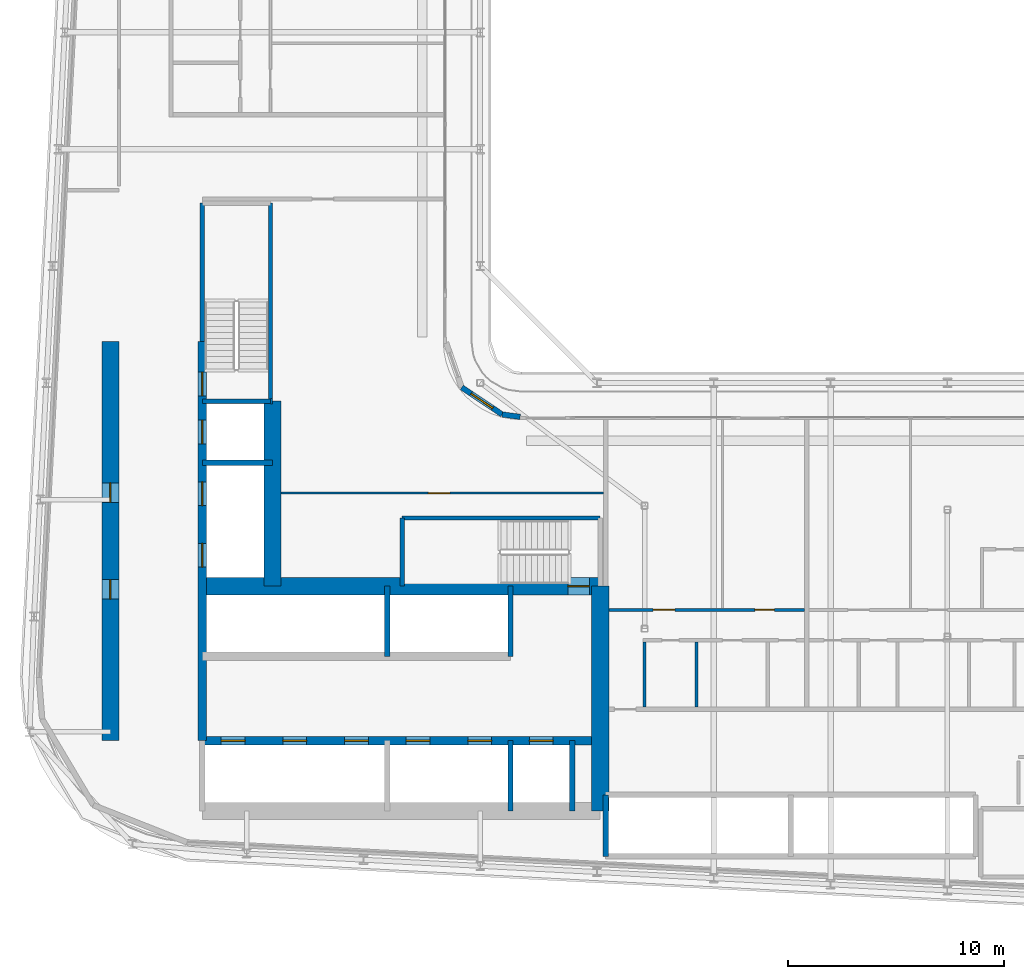
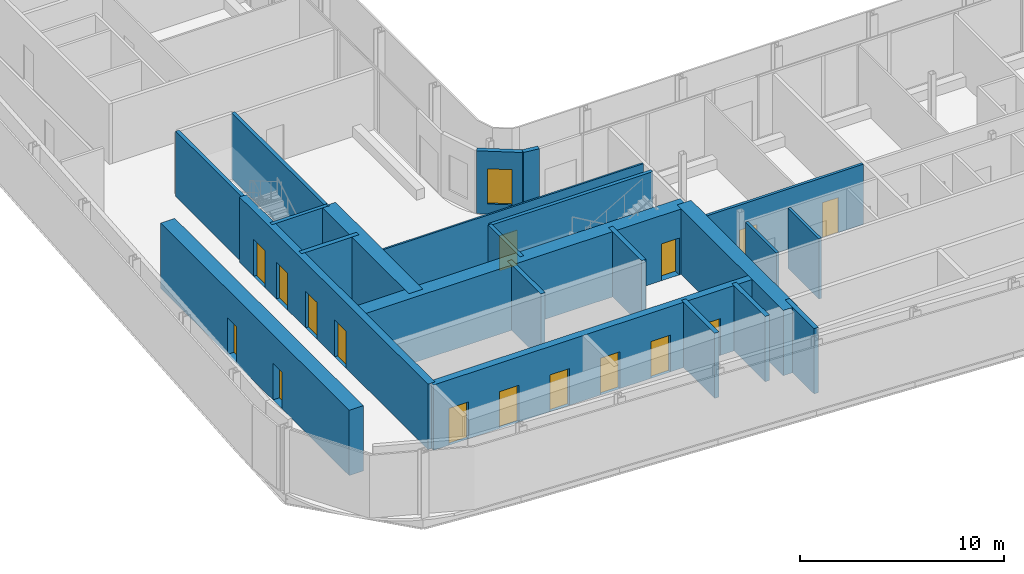
# One storey, part 13 of 27: 24 walls, 16 doors, 1 window, 17 openings.
"""IFC4 building model written with IfcOpenShell, lengths in metres."""

import ifcopenshell
import ifcopenshell.guid

model = None  # the IFC model being written
_history = None  # IfcOwnerHistory: only IFC2X3 demands one
_inside = {}  # id of a spatial element -> (the spatial element, [elements in it])
_under = {}  # id of a project, library or spatial element -> (it, [spatial elements below it])
_declared = {}  # id of a project -> (the project, [libraries it declares])
_typed = {}  # id of a type object -> (the type object, [elements of that type])
_made_of = {}  # id of a material, layer set ... -> (it, [elements and type objects made of it])


def new_model(schema):
    """Start an empty IFC model of exactly this schema.

    Asked for "IFC4X3", IfcOpenShell would pick the latest addendum, in which some entities
    have other attributes; the version numbers below select the first issue.
    IFC2X3 requires an IfcOwnerHistory on every rooted entity: one is made here for all.
    """
    global model, _history
    if schema == "IFC4X3":
        model = ifcopenshell.file(schema_version=(4, 3, 0, 0))
    else:
        model = ifcopenshell.file(schema=schema)
    _inside.clear()
    _under.clear()
    _declared.clear()
    _typed.clear()
    _made_of.clear()
    _history = None
    if model.schema == "IFC2X3":
        org = make("IfcOrganization", Name="unknown")
        user = make(
            "IfcPersonAndOrganization",
            ThePerson=make("IfcPerson", FamilyName="unknown"),
            TheOrganization=org,
        )
        app = make(
            "IfcApplication",
            ApplicationDeveloper=org,
            Version="unknown",
            ApplicationFullName="unknown",
            ApplicationIdentifier="unknown",
        )
        _history = make(
            "IfcOwnerHistory",
            OwningUser=user,
            OwningApplication=app,
            ChangeAction="ADDED",
            CreationDate=0,
        )
    return model


def make(cls, **values):
    """One entity of the class cls with the attributes given. An attribute that is None is left unset."""
    return model.create_entity(
        cls, **{name: value for name, value in values.items() if value is not None}
    )


def rooted(cls, **values):
    """An entity with a GlobalId (a new one), such as an element, a storey or a relation."""
    return make(cls, GlobalId=ifcopenshell.guid.new(), OwnerHistory=_history, **values)


def si_unit(unit_type, name, prefix=None):
    """IfcSIUnit, for example si_unit("LENGTHUNIT", "METRE", prefix="MILLI")."""
    return make("IfcSIUnit", UnitType=unit_type, Prefix=prefix, Name=name)


def assignment(units):
    """IfcUnitAssignment: the units of a project."""
    return None if units is None else make("IfcUnitAssignment", Units=units)


def point(xyz):
    """IfcCartesianPoint."""
    return None if xyz is None else make("IfcCartesianPoint", Coordinates=xyz)


def direction(xyz):
    """IfcDirection."""
    return None if xyz is None else make("IfcDirection", DirectionRatios=xyz)


def frame(location, z_axis=None, x_axis=None):
    """IfcAxis2Placement3D, a coordinate frame: its origin and axes. An axis left out is left unset."""
    return make(
        "IfcAxis2Placement3D",
        Location=point(location),
        Axis=direction(z_axis),
        RefDirection=direction(x_axis),
    )


def frame_2d(location, x_axis=None):
    """IfcAxis2Placement2D, a coordinate frame in the plane: its origin and x axis."""
    return make(
        "IfcAxis2Placement2D", Location=point(location), RefDirection=direction(x_axis)
    )


def origin():
    """The frame at (0, 0, 0) with its axes left unset."""
    return frame((0.0, 0.0, 0.0))


def place(relative_to, where):
    """IfcLocalPlacement: puts the frame where relative to a parent placement (None: the world)."""
    return make(
        "IfcLocalPlacement", PlacementRelTo=relative_to, RelativePlacement=where
    )


def context(
    kind, dimensions, precision=None, world=None, true_north=None, identifier=None
):
    """IfcGeometricRepresentationContext, for example the 3D "Model" context."""
    return make(
        "IfcGeometricRepresentationContext",
        ContextIdentifier=identifier,
        ContextType=kind,
        CoordinateSpaceDimension=dimensions,
        Precision=precision,
        WorldCoordinateSystem=world,
        TrueNorth=true_north,
    )


def subcontext(parent, identifier, kind, view, scale=None):
    """IfcGeometricRepresentationSubContext, for example "Body" below "Model"."""
    return make(
        "IfcGeometricRepresentationSubContext",
        ContextIdentifier=identifier,
        ContextType=kind,
        ParentContext=parent,
        TargetScale=scale,
        TargetView=view,
    )


def project(units=None, contexts=None):
    """IfcProject with its units and contexts."""
    return rooted(
        "IfcProject",
        Name="project",
        RepresentationContexts=contexts,
        UnitsInContext=assignment(units),
    )


def spatial(cls, under=None, at=None, **own):
    """A site, building, storey or space (cls), placed at a placement, below another one or the project."""
    s = rooted(cls, ObjectPlacement=at, **own)
    if under is not None:
        _under.setdefault(under.id(), (under, []))[1].append(s)
    return s


def profile(cls, at=None, kind="AREA", **sizes):
    """A parametric profile (cls). Its sizes go by their IFC names, for example OverallWidth=200.0."""
    return make(cls, ProfileType=kind, Position=at, **sizes)


def rectangle(**sizes):
    """IfcRectangleProfileDef."""
    return profile("IfcRectangleProfileDef", **sizes)


def extrude(swept, where, along, depth):
    """IfcExtrudedAreaSolid: the profile swept, set in the frame where, extruded along a direction by depth."""
    return make(
        "IfcExtrudedAreaSolid",
        SweptArea=swept,
        Position=where,
        ExtrudedDirection=direction(along),
        Depth=depth,
    )


def shape(context_of_items, identifier, shape_type, items):
    """IfcShapeRepresentation: the items that make up one representation, for example the "Body"."""
    return make(
        "IfcShapeRepresentation",
        ContextOfItems=context_of_items,
        RepresentationIdentifier=identifier,
        RepresentationType=shape_type,
        Items=items,
    )


def source(mapping_origin, context_of_items, identifier, shape_type, items):
    """IfcRepresentationMap: a shape defined once, which mapped items show again and again."""
    return make(
        "IfcRepresentationMap",
        MappingOrigin=mapping_origin,
        MappedRepresentation=shape(context_of_items, identifier, shape_type, items),
    )


def transform(
    local_origin,
    x_axis=None,
    y_axis=None,
    z_axis=None,
    scale=None,
    scale2=None,
    scale3=None,
    uniform=True,
):
    """IfcCartesianTransformationOperator3D, or its non-uniform kind. x_axis, y_axis, z_axis: its Axis1, 2, 3."""
    if uniform:
        return make(
            "IfcCartesianTransformationOperator3D",
            Axis1=direction(x_axis),
            Axis2=direction(y_axis),
            LocalOrigin=point(local_origin),
            Scale=scale,
            Axis3=direction(z_axis),
        )
    return make(
        "IfcCartesianTransformationOperator3DnonUniform",
        Axis1=direction(x_axis),
        Axis2=direction(y_axis),
        LocalOrigin=point(local_origin),
        Scale=scale,
        Axis3=direction(z_axis),
        Scale2=scale2,
        Scale3=scale3,
    )


def mapped(mapping_source, mapping_target):
    """IfcMappedItem: shows the shape of a source again, moved by a transform."""
    return make(
        "IfcMappedItem", MappingSource=mapping_source, MappingTarget=mapping_target
    )


def material(Name=None, Category=None):
    """IfcMaterial."""
    return make("IfcMaterial", Name=Name, Category=Category)


def layer(
    of_material, thickness, ventilated=None, Name=None, Category=None, Priority=None
):
    """IfcMaterialLayer: one layer of a wall or slab, of a material (None: an air gap)."""
    return make(
        "IfcMaterialLayer",
        Material=of_material,
        LayerThickness=thickness,
        IsVentilated=ventilated,
        Name=Name,
        Category=Category,
        Priority=Priority,
    )


def layer_set(layers, Name=None):
    """IfcMaterialLayerSet."""
    return make("IfcMaterialLayerSet", MaterialLayers=layers, LayerSetName=Name)


def made_of(thing, what):
    """Note that an element or type object is made of a material, layer set ...; save() writes the relation."""
    if what is not None:
        _made_of.setdefault(what.id(), (what, []))[1].append(thing)
    return thing


def type_object(cls, material=None, **own):
    """A type object (cls), such as IfcWallType, which elements share."""
    return made_of(rooted(cls, **own), material)


def element(
    cls,
    number,
    at=None,
    inside=None,
    cuts=None,
    type_object=None,
    material=None,
    context=None,
    identifier="Body",
    shape_type=None,
    held_by="IfcProductDefinitionShape",
    body=None,
    shapes=None,
    **own,
):
    """One element of the class cls, such as IfcWall. Its Tag is "e" and its number.

    at: its placement. inside: the storey or other place that contains it. cuts: it is an
    opening in that element (IfcRelVoidsElement). A single representation is given by context,
    identifier, shape_type and body (its items); several are given by shapes. held_by: the class
    of the entity that holds the representations. save() writes the other relations.
    """
    e = rooted(cls, Tag="e%d" % number, ObjectPlacement=at, **own)
    if body is not None:
        shapes = [shape(context, identifier, shape_type, body)]
    if shapes is not None:
        e.Representation = make(held_by, Representations=shapes)
    if inside is not None:
        _inside.setdefault(inside.id(), (inside, []))[1].append(e)
    if cuts is not None:
        rooted(
            "IfcRelVoidsElement", RelatingBuildingElement=cuts, RelatedOpeningElement=e
        )
    if type_object is not None:
        _typed.setdefault(type_object.id(), (type_object, []))[1].append(e)
    return made_of(e, material)


def fill(opening, filler):
    """IfcRelFillsElement: the door or window that sits in an opening."""
    return rooted(
        "IfcRelFillsElement",
        RelatingOpeningElement=opening,
        RelatedBuildingElement=filler,
    )


def aggregate(whole, parts):
    """IfcRelAggregates: a whole, such as a stair, and the parts it consists of."""
    return rooted("IfcRelAggregates", RelatingObject=whole, RelatedObjects=parts)


def save(model, path):
    """Write the relations noted so far, then the file.

    IfcRelAggregates (storeys below a building ...), IfcRelContainedInSpatialStructure (elements
    in a storey), IfcRelDefinesByType, IfcRelAssociatesMaterial and IfcRelDeclares: one each for
    every whole, place, type object, material and project.
    """
    for whole, parts in _under.values():
        aggregate(whole, parts)
    for where, things in _inside.values():
        rooted(
            "IfcRelContainedInSpatialStructure",
            RelatedElements=things,
            RelatingStructure=where,
        )
    for kind, things in _typed.values():
        rooted("IfcRelDefinesByType", RelatedObjects=things, RelatingType=kind)
    for what, things in _made_of.values():
        rooted("IfcRelAssociatesMaterial", RelatedObjects=things, RelatingMaterial=what)
    for by, libraries in _declared.values():
        rooted("IfcRelDeclares", RelatingContext=by, RelatedDefinitions=libraries)
    model.write(path)


model = new_model("IFC4")

# Units and contexts
model_context = context("Model", 3, precision=1e-05, world=origin(), true_north=direction((0.0, 1.0)))
body_context = subcontext(model_context, "Body", "Model", "MODEL_VIEW")
ifc_project = project(units=[si_unit("LENGTHUNIT", "METRE"), si_unit("AREAUNIT", "SQUARE_METRE"), si_unit("VOLUMEUNIT", "CUBIC_METRE"), si_unit("PLANEANGLEUNIT", "RADIAN"), si_unit("MASSUNIT", "GRAM", prefix="KILO")], contexts=[model_context])

# Site, building, storey
site_placement = place(None, origin())
site = spatial("IfcSite", under=ifc_project, at=site_placement, CompositionType="ELEMENT")
building_placement = place(site_placement, origin())
building = spatial("IfcBuilding", under=site, at=building_placement, Name="Kheshtan School and Residences Tower", CompositionType="ELEMENT")
storey_placement = place(building_placement, frame((0.0, 0.0, 152.60009765625)))
storey = spatial("IfcBuildingStorey", under=building, at=storey_placement, Name="L35", CompositionType="ELEMENT", Elevation=152.60009765625)

# Wall, openings, doors
ifc_material_1 = material(Name="Concrete C50/60", Category="concrete")
ifc_layer_1 = layer(ifc_material_1, 0.39990234375)
ifc_layer_set_1 = layer_set([ifc_layer_1], Name="Core wall 400 Concrete C50/60")
wall_type_1 = type_object("IfcWallType", Name="Core wall 400 Concrete C50/60", PredefinedType="SHEAR", material=ifc_layer_set_1)
wall_1_placement = place(storey_placement, frame((34.75, 29.050048828125, 0.0), z_axis=(0.0, 0.0, 1.0), x_axis=(1.0, 0.0, 0.0)))
wall_1 = element("IfcWall", 1, at=wall_1_placement, inside=storey, type_object=wall_type_1, Name="Core wall CW-HALL-S1", PredefinedType="SHEAR", context=body_context, shape_type="SweptSolid", body=[
    extrude(rectangle(XDim=18.39990234375, YDim=0.39990234375, at=frame_2d((9.199951171875, 0.0))), origin(), (0.0, 0.0, 1.0), 3.89990234375),
])
opening_1_placement = place(wall_1_placement, frame((0.875, 0.0, 0.0)))
opening_1 = element("IfcOpeningElement", 2, at=opening_1_placement, cuts=wall_1, Name="Opening LD", PredefinedType="OPENING", context=body_context, shape_type="SweptSolid", body=[
    extrude(rectangle(XDim=1.10009765625, YDim=2.199951171875, at=frame_2d((0.550048828125, 1.10009765625))), frame((0.0, 0.2099609375, 0.0), z_axis=(0.0, -1.0, 0.0), x_axis=(1.0, 0.0, 0.0)), (0.0, 0.0, 1.0), 0.419921875),
])
opening_2_placement = place(wall_1_placement, frame((3.72509765625, 0.0, 0.0)))
opening_2 = element("IfcOpeningElement", 3, at=opening_2_placement, cuts=wall_1, Name="Opening LD", PredefinedType="OPENING", context=body_context, shape_type="SweptSolid", body=[
    extrude(rectangle(XDim=1.10009765625, YDim=2.199951171875, at=frame_2d((0.550048828125, 1.10009765625))), frame((0.0, 0.2099609375, 0.0), z_axis=(0.0, -1.0, 0.0), x_axis=(1.0, 0.0, 0.0)), (0.0, 0.0, 1.0), 0.419921875),
])
opening_3_placement = place(wall_1_placement, frame((6.574951171875, 0.0, 0.0)))
opening_3 = element("IfcOpeningElement", 4, at=opening_3_placement, cuts=wall_1, Name="Opening LD", PredefinedType="OPENING", context=body_context, shape_type="SweptSolid", body=[
    extrude(rectangle(XDim=1.10009765625, YDim=2.199951171875, at=frame_2d((0.550048828125, 1.10009765625))), frame((0.0, 0.2099609375, 0.0), z_axis=(0.0, -1.0, 0.0), x_axis=(1.0, 0.0, 0.0)), (0.0, 0.0, 1.0), 0.419921875),
])
opening_4_placement = place(wall_1_placement, frame((9.425048828125, 0.0, 0.0)))
opening_4 = element("IfcOpeningElement", 5, at=opening_4_placement, cuts=wall_1, Name="Opening LD", PredefinedType="OPENING", context=body_context, shape_type="SweptSolid", body=[
    extrude(rectangle(XDim=1.10009765625, YDim=2.199951171875, at=frame_2d((0.550048828125, 1.10009765625))), frame((0.0, 0.2099609375, 0.0), z_axis=(0.0, -1.0, 0.0), x_axis=(1.0, 0.0, 0.0)), (0.0, 0.0, 1.0), 0.419921875),
])
opening_5_placement = place(wall_1_placement, frame((12.27490234375, 0.0, 0.0)))
opening_5 = element("IfcOpeningElement", 6, at=opening_5_placement, cuts=wall_1, Name="Opening LD", PredefinedType="OPENING", context=body_context, shape_type="SweptSolid", body=[
    extrude(rectangle(XDim=1.10009765625, YDim=2.199951171875, at=frame_2d((0.550048828125, 1.10009765625))), frame((0.0, 0.2099609375, 0.0), z_axis=(0.0, -1.0, 0.0), x_axis=(1.0, 0.0, 0.0)), (0.0, 0.0, 1.0), 0.419921875),
])
opening_6_placement = place(wall_1_placement, frame((15.125, 0.0, 0.0)))
opening_6 = element("IfcOpeningElement", 7, at=opening_6_placement, cuts=wall_1, Name="Opening LD", PredefinedType="OPENING", context=body_context, shape_type="SweptSolid", body=[
    extrude(rectangle(XDim=1.10009765625, YDim=2.199951171875, at=frame_2d((0.550048828125, 1.10009765625))), frame((0.0, 0.2099609375, 0.0), z_axis=(0.0, -1.0, 0.0), x_axis=(1.0, 0.0, 0.0)), (0.0, 0.0, 1.0), 0.419921875),
])
ifc_material_2 = material(Name="Stainless steel door leaves", Category="steel")
door_type_1 = type_object("IfcDoorType", Name="Lift landing door 1100", OperationType="SLIDING_TO_LEFT", PredefinedType="DOOR", material=ifc_material_2)
shared_shape_1 = source(origin(), body_context, "Body", "SweptSolid", [
    extrude(rectangle(XDim=1.10009765625, YDim=2.199951171875, at=frame_2d((0.550048828125, 1.10009765625))), frame((0.0, 0.02490234375, 0.0), z_axis=(0.0, -1.0, 0.0), x_axis=(1.0, 0.0, 0.0)), (0.0, 0.0, 1.0), 0.050048828125),
])
door_1_placement = place(opening_1_placement, origin())
door_1 = element("IfcDoor", 8, at=door_1_placement, inside=storey, type_object=door_type_1, Name="Lift P7 landing door", OperationType="SLIDING_TO_LEFT", OverallHeight=2.199951171875, OverallWidth=1.10009765625, PredefinedType="DOOR", context=body_context, shape_type="MappedRepresentation", body=[
    mapped(shared_shape_1, transform((0.0, 0.0, 0.0), x_axis=(1.0, 0.0, 0.0), y_axis=(0.0, 1.0, 0.0), z_axis=(0.0, 0.0, 1.0), scale=1.0)),
])
fill(opening_1, door_1)
door_2_placement = place(opening_2_placement, origin())
door_2 = element("IfcDoor", 9, at=door_2_placement, inside=storey, type_object=door_type_1, Name="Lift P8 landing door", OperationType="SLIDING_TO_LEFT", OverallHeight=2.199951171875, OverallWidth=1.10009765625, PredefinedType="DOOR", context=body_context, shape_type="MappedRepresentation", body=[
    mapped(shared_shape_1, transform((0.0, 0.0, 0.0), x_axis=(1.0, 0.0, 0.0), y_axis=(0.0, 1.0, 0.0), z_axis=(0.0, 0.0, 1.0), scale=1.0)),
])
fill(opening_2, door_2)
door_3_placement = place(opening_3_placement, origin())
door_3 = element("IfcDoor", 10, at=door_3_placement, inside=storey, type_object=door_type_1, Name="Lift P9 landing door", OperationType="SLIDING_TO_LEFT", OverallHeight=2.199951171875, OverallWidth=1.10009765625, PredefinedType="DOOR", context=body_context, shape_type="MappedRepresentation", body=[
    mapped(shared_shape_1, transform((0.0, 0.0, 0.0), x_axis=(1.0, 0.0, 0.0), y_axis=(0.0, 1.0, 0.0), z_axis=(0.0, 0.0, 1.0), scale=1.0)),
])
fill(opening_3, door_3)
door_4_placement = place(opening_4_placement, origin())
door_4 = element("IfcDoor", 11, at=door_4_placement, inside=storey, type_object=door_type_1, Name="Lift P10 landing door", OperationType="SLIDING_TO_LEFT", OverallHeight=2.199951171875, OverallWidth=1.10009765625, PredefinedType="DOOR", context=body_context, shape_type="MappedRepresentation", body=[
    mapped(shared_shape_1, transform((0.0, 0.0, 0.0), x_axis=(1.0, 0.0, 0.0), y_axis=(0.0, 1.0, 0.0), z_axis=(0.0, 0.0, 1.0), scale=1.0)),
])
fill(opening_4, door_4)
door_5_placement = place(opening_5_placement, origin())
door_5 = element("IfcDoor", 12, at=door_5_placement, inside=storey, type_object=door_type_1, Name="Lift P11 landing door", OperationType="SLIDING_TO_LEFT", OverallHeight=2.199951171875, OverallWidth=1.10009765625, PredefinedType="DOOR", context=body_context, shape_type="MappedRepresentation", body=[
    mapped(shared_shape_1, transform((0.0, 0.0, 0.0), x_axis=(1.0, 0.0, 0.0), y_axis=(0.0, 1.0, 0.0), z_axis=(0.0, 0.0, 1.0), scale=1.0)),
])
fill(opening_5, door_5)
door_6_placement = place(opening_6_placement, origin())
door_6 = element("IfcDoor", 13, at=door_6_placement, inside=storey, type_object=door_type_1, Name="Lift FFL2 landing door", OperationType="SLIDING_TO_LEFT", OverallHeight=2.199951171875, OverallWidth=1.10009765625, PredefinedType="DOOR", context=body_context, shape_type="MappedRepresentation", body=[
    mapped(shared_shape_1, transform((0.0, 0.0, 0.0), x_axis=(1.0, 0.0, 0.0), y_axis=(0.0, 1.0, 0.0), z_axis=(0.0, 0.0, 1.0), scale=1.0)),
])
fill(opening_6, door_6)

wall_2_placement = place(storey_placement, frame((34.75, 29.050048828125, 0.0), z_axis=(0.0, 0.0, 1.0), x_axis=(0.0, 1.0, 0.0)))
wall_2 = element("IfcWall", 14, at=wall_2_placement, inside=storey, type_object=wall_type_1, Name="Core wall CW-HALL-W1", PredefinedType="SHEAR", context=body_context, shape_type="SweptSolid", body=[
    extrude(rectangle(XDim=18.449951171875, YDim=0.39990234375, at=frame_2d((9.22509765625, 0.0))), origin(), (0.0, 0.0, 1.0), 3.89990234375),
])
opening_7_placement = place(wall_2_placement, frame((8.02490234375, 0.0, 0.0)))
opening_7 = element("IfcOpeningElement", 15, at=opening_7_placement, cuts=wall_2, Name="Opening LD", PredefinedType="OPENING", context=body_context, shape_type="SweptSolid", body=[
    extrude(rectangle(XDim=1.10009765625, YDim=2.199951171875, at=frame_2d((0.550048828125, 1.10009765625))), frame((0.0, 0.2099609375, 0.0), z_axis=(0.0, -1.0, 0.0), x_axis=(1.0, 0.0, 0.0)), (0.0, 0.0, 1.0), 0.419921875),
])
opening_8_placement = place(wall_2_placement, frame((10.875, 0.0, 0.0)))
opening_8 = element("IfcOpeningElement", 16, at=opening_8_placement, cuts=wall_2, Name="Opening LD", PredefinedType="OPENING", context=body_context, shape_type="SweptSolid", body=[
    extrude(rectangle(XDim=1.10009765625, YDim=2.199951171875, at=frame_2d((0.550048828125, 1.10009765625))), frame((0.0, 0.2099609375, 0.0), z_axis=(0.0, -1.0, 0.0), x_axis=(1.0, 0.0, 0.0)), (0.0, 0.0, 1.0), 0.419921875),
])
opening_9_placement = place(wall_2_placement, frame((13.72509765625, 0.0, 0.0)))
opening_9 = element("IfcOpeningElement", 17, at=opening_9_placement, cuts=wall_2, Name="Opening LD", PredefinedType="OPENING", context=body_context, shape_type="SweptSolid", body=[
    extrude(rectangle(XDim=1.10009765625, YDim=2.199951171875, at=frame_2d((0.550048828125, 1.10009765625))), frame((0.0, 0.2099609375, 0.0), z_axis=(0.0, -1.0, 0.0), x_axis=(1.0, 0.0, 0.0)), (0.0, 0.0, 1.0), 0.419921875),
])
opening_10_placement = place(wall_2_placement, frame((15.949951171875, 0.0, 0.0)))
opening_10 = element("IfcOpeningElement", 18, at=opening_10_placement, cuts=wall_2, Name="Opening ST2D", PredefinedType="OPENING", context=body_context, shape_type="SweptSolid", body=[
    extrude(rectangle(XDim=1.10009765625, YDim=2.199951171875, at=frame_2d((0.550048828125, 1.10009765625))), frame((0.0, 0.2099609375, 0.0), z_axis=(0.0, -1.0, 0.0), x_axis=(1.0, 0.0, 0.0)), (0.0, 0.0, 1.0), 0.419921875),
])
door_7_placement = place(opening_7_placement, origin())
door_7 = element("IfcDoor", 19, at=door_7_placement, inside=storey, type_object=door_type_1, Name="Lift SV1 landing door", OperationType="SLIDING_TO_LEFT", OverallHeight=2.199951171875, OverallWidth=1.10009765625, PredefinedType="DOOR", context=body_context, shape_type="MappedRepresentation", body=[
    mapped(shared_shape_1, transform((0.0, 0.0, 0.0), x_axis=(1.0, 0.0, 0.0), y_axis=(0.0, 1.0, 0.0), z_axis=(0.0, 0.0, 1.0), scale=1.0)),
])
fill(opening_7, door_7)
door_8_placement = place(opening_8_placement, origin())
door_8 = element("IfcDoor", 20, at=door_8_placement, inside=storey, type_object=door_type_1, Name="Lift SV2 landing door", OperationType="SLIDING_TO_LEFT", OverallHeight=2.199951171875, OverallWidth=1.10009765625, PredefinedType="DOOR", context=body_context, shape_type="MappedRepresentation", body=[
    mapped(shared_shape_1, transform((0.0, 0.0, 0.0), x_axis=(1.0, 0.0, 0.0), y_axis=(0.0, 1.0, 0.0), z_axis=(0.0, 0.0, 1.0), scale=1.0)),
])
fill(opening_8, door_8)
door_9_placement = place(opening_9_placement, origin())
door_9 = element("IfcDoor", 21, at=door_9_placement, inside=storey, type_object=door_type_1, Name="Lift FFL1 landing door", OperationType="SLIDING_TO_LEFT", OverallHeight=2.199951171875, OverallWidth=1.10009765625, PredefinedType="DOOR", context=body_context, shape_type="MappedRepresentation", body=[
    mapped(shared_shape_1, transform((0.0, 0.0, 0.0), x_axis=(1.0, 0.0, 0.0), y_axis=(0.0, 1.0, 0.0), z_axis=(0.0, 0.0, 1.0), scale=1.0)),
])
fill(opening_9, door_9)
ifc_material_3 = material(Name="Steel door leaf, galvanised", Category="steel")
door_type_2 = type_object("IfcDoorType", Name="Stair door 1100 steel 90 min", OperationType="SINGLE_SWING_LEFT", PredefinedType="DOOR", material=ifc_material_3)
shared_shape_2 = source(origin(), body_context, "Body", "SweptSolid", [
    extrude(rectangle(XDim=1.10009765625, YDim=2.199951171875, at=frame_2d((0.550048828125, 1.10009765625))), frame((0.0, 0.02490234375, 0.0), z_axis=(0.0, -1.0, 0.0), x_axis=(1.0, 0.0, 0.0)), (0.0, 0.0, 1.0), 0.050048828125),
])
door_10_placement = place(opening_10_placement, origin())
door_10 = element("IfcDoor", 22, at=door_10_placement, inside=storey, type_object=door_type_2, Name="Stair ST2 door", OperationType="SINGLE_SWING_RIGHT", OverallHeight=2.199951171875, OverallWidth=1.10009765625, PredefinedType="DOOR", context=body_context, shape_type="MappedRepresentation", body=[
    mapped(shared_shape_2, transform((0.0, 0.0, 0.0), x_axis=(1.0, 0.0, 0.0), y_axis=(0.0, 1.0, 0.0), z_axis=(0.0, 0.0, 1.0), scale=1.0)),
])
fill(opening_10, door_10)

# Wall, opening, door
ifc_material_4 = material(Name="Concrete C70/85", Category="concrete")
ifc_layer_2 = layer(ifc_material_4, 0.800048828125)
ifc_layer_set_2 = layer_set([ifc_layer_2], Name="Core wall 800 Concrete C70/85")
wall_type_2 = type_object("IfcWallType", Name="Core wall 800 Concrete C70/85", PredefinedType="SHEAR", material=ifc_layer_set_2)
wall_3_placement = place(storey_placement, frame((34.75, 36.199951171875, 0.0), z_axis=(0.0, 0.0, 1.0), x_axis=(1.0, 0.0, 0.0)))
wall_3 = element("IfcWall", 23, at=wall_3_placement, inside=storey, type_object=wall_type_2, Name="Core wall CW-FRONT-S", PredefinedType="SHEAR", context=body_context, shape_type="SweptSolid", body=[
    extrude(rectangle(XDim=18.39990234375, YDim=0.800048828125, at=frame_2d((9.199951171875, 0.0))), origin(), (0.0, 0.0, 1.0), 3.89990234375),
])
opening_11_placement = place(wall_3_placement, frame((16.89990234375, 0.0, 0.0)))
opening_11 = element("IfcOpeningElement", 24, at=opening_11_placement, cuts=wall_3, Name="Opening ST1D", PredefinedType="OPENING", context=body_context, shape_type="SweptSolid", body=[
    extrude(rectangle(XDim=1.0, YDim=2.199951171875, at=frame_2d((0.5, 1.10009765625))), frame((0.0, 0.41015625, 0.0), z_axis=(0.0, -1.0, 0.0), x_axis=(1.0, 0.0, 0.0)), (0.0, 0.0, 1.0), 0.820068359375),
])
shared_shape_3 = source(origin(), body_context, "Body", "SweptSolid", [
    extrude(rectangle(XDim=1.0, YDim=2.199951171875, at=frame_2d((0.5, 1.10009765625))), frame((0.0, 0.02490234375, 0.0), z_axis=(0.0, -1.0, 0.0), x_axis=(1.0, 0.0, 0.0)), (0.0, 0.0, 1.0), 0.050048828125),
])
door_11_placement = place(opening_11_placement, origin())
door_11 = element("IfcDoor", 25, at=door_11_placement, inside=storey, type_object=door_type_2, Name="Stair ST1 door", OperationType="SINGLE_SWING_RIGHT", OverallHeight=2.199951171875, OverallWidth=1.0, PredefinedType="DOOR", context=body_context, shape_type="MappedRepresentation", body=[
    mapped(shared_shape_3, transform((0.0, 0.0, 0.0), x_axis=(1.0, 0.0, 0.0), y_axis=(0.0, 1.0, 0.0), z_axis=(0.0, 0.0, 1.0), scale=1.0)),
])
fill(opening_11, door_11)

# Wall
wall_4_placement = place(storey_placement, frame((38.0, 36.199951171875, 0.0), z_axis=(0.0, 0.0, 1.0), x_axis=(0.0, 1.0, 0.0)))
element("IfcWall", 26, at=wall_4_placement, inside=storey, type_object=wall_type_2, Name="Core wall CW-FRONT-W", PredefinedType="SHEAR", context=body_context, shape_type="SweptSolid", body=[
    extrude(rectangle(XDim=8.550048828125, YDim=0.800048828125, at=frame_2d((4.27490234375, 0.0))), origin(), (0.0, 0.0, 1.0), 3.89990234375),
])

# Wall, openings, doors
wall_5_placement = place(storey_placement, frame((30.5, 29.050048828125, 0.0), z_axis=(0.0, 0.0, 1.0), x_axis=(0.0, 1.0, 0.0)))
wall_5 = element("IfcWall", 27, at=wall_5_placement, inside=storey, type_object=wall_type_2, Name="Core wall CW-REAR-W", PredefinedType="SHEAR", context=body_context, shape_type="SweptSolid", body=[
    extrude(rectangle(XDim=18.449951171875, YDim=0.800048828125, at=frame_2d((9.22509765625, 0.0))), origin(), (0.0, 0.0, 1.0), 3.89990234375),
])
opening_12_placement = place(wall_5_placement, frame((6.550048828125, 0.0, 0.0)))
opening_12 = element("IfcOpeningElement", 28, at=opening_12_placement, cuts=wall_5, Name="Opening SR90", PredefinedType="OPENING", context=body_context, shape_type="SweptSolid", body=[
    extrude(rectangle(XDim=0.89990234375, YDim=2.199951171875, at=frame_2d((0.449951171875, 1.10009765625))), frame((0.0, 0.41015625, 0.0), z_axis=(0.0, -1.0, 0.0), x_axis=(1.0, 0.0, 0.0)), (0.0, 0.0, 1.0), 0.820068359375),
])
opening_13_placement = place(wall_5_placement, frame((11.02490234375, 0.0, 0.0)))
opening_13 = element("IfcOpeningElement", 29, at=opening_13_placement, cuts=wall_5, Name="Opening SR90", PredefinedType="OPENING", context=body_context, shape_type="SweptSolid", body=[
    extrude(rectangle(XDim=0.89990234375, YDim=2.199951171875, at=frame_2d((0.449951171875, 1.10009765625))), frame((0.0, 0.41015625, 0.0), z_axis=(0.0, -1.0, 0.0), x_axis=(1.0, 0.0, 0.0)), (0.0, 0.0, 1.0), 0.820068359375),
])
door_type_3 = type_object("IfcDoorType", Name="Service room door 900 steel 90 min", OperationType="SINGLE_SWING_LEFT", PredefinedType="DOOR", material=ifc_material_3)
shared_shape_4 = source(origin(), body_context, "Body", "SweptSolid", [
    extrude(rectangle(XDim=0.89990234375, YDim=2.199951171875, at=frame_2d((0.449951171875, 1.10009765625))), frame((0.0, 0.02490234375, 0.0), z_axis=(0.0, -1.0, 0.0), x_axis=(1.0, 0.0, 0.0)), (0.0, 0.0, 1.0), 0.050048828125),
])
door_12_placement = place(opening_12_placement, origin())
door_12 = element("IfcDoor", 30, at=door_12_placement, inside=storey, type_object=door_type_3, Name="Service room door", OperationType="SINGLE_SWING_RIGHT", OverallHeight=2.199951171875, OverallWidth=0.89990234375, PredefinedType="DOOR", context=body_context, shape_type="MappedRepresentation", body=[
    mapped(shared_shape_4, transform((0.0, 0.0, 0.0), x_axis=(1.0, 0.0, 0.0), y_axis=(0.0, 1.0, 0.0), z_axis=(0.0, 0.0, 1.0), scale=1.0)),
])
fill(opening_12, door_12)
door_13_placement = place(opening_13_placement, origin())
door_13 = element("IfcDoor", 31, at=door_13_placement, inside=storey, type_object=door_type_3, Name="Service room door", OperationType="SINGLE_SWING_RIGHT", OverallHeight=2.199951171875, OverallWidth=0.89990234375, PredefinedType="DOOR", context=body_context, shape_type="MappedRepresentation", body=[
    mapped(shared_shape_4, transform((0.0, 0.0, 0.0), x_axis=(1.0, 0.0, 0.0), y_axis=(0.0, 1.0, 0.0), z_axis=(0.0, 0.0, 1.0), scale=1.0)),
])
fill(opening_13, door_13)

# Wall
wall_6_placement = place(storey_placement, frame((53.14990234375, 25.800048828125, 0.0), z_axis=(0.0, 0.0, 1.0), x_axis=(0.0, 1.0, 0.0)))
element("IfcWall", 32, at=wall_6_placement, inside=storey, type_object=wall_type_2, Name="Core wall CW-EAST", PredefinedType="SHEAR", context=body_context, shape_type="SweptSolid", body=[
    extrude(rectangle(XDim=10.39990234375, YDim=0.800048828125, at=frame_2d((5.199951171875, 0.0))), origin(), (0.0, 0.0, 1.0), 3.89990234375),
])

# Wall, opening, window
ifc_material_5 = material(Name="Concrete C40/50 with ceramic cladding and mineral wool insulation", Category="concrete")
ifc_layer_3 = layer(ifc_material_5, 0.25)
ifc_layer_set_3 = layer_set([ifc_layer_3], Name="External wall 250 ceramic clad")
wall_type_3 = type_object("IfcWallType", Name="External wall 250 ceramic clad", PredefinedType="SOLIDWALL", material=ifc_layer_set_3)
wall_7_placement = place(storey_placement, frame((46.742919921875, 45.388916015625, 0.0), z_axis=(0.0, 0.0, 1.0), x_axis=(0.831449265529, -0.555600682912, 0.0)))
wall_7 = element("IfcWall", 33, at=wall_7_placement, inside=storey, type_object=wall_type_3, Name="External wall L35 10", PredefinedType="SOLIDWALL", context=body_context, shape_type="SweptSolid", body=[
    extrude(rectangle(XDim=2.25146484375, YDim=0.25, at=frame_2d((1.125732421875, 0.0))), origin(), (0.0, 0.0, 1.0), 3.75),
])
opening_14_placement = place(wall_7_placement, frame((0.52490234375, 0.0, 0.60009765625)))
opening_14 = element("IfcOpeningElement", 34, at=opening_14_placement, cuts=wall_7, Name="Opening WN-E", PredefinedType="OPENING", context=body_context, shape_type="SweptSolid", body=[
    extrude(rectangle(XDim=1.199951171875, YDim=2.10009765625, at=frame_2d((0.60009765625, 1.050048828125))), frame((0.0, 0.135009765625, 0.0), z_axis=(0.0, -1.0, 0.0), x_axis=(1.0, 0.0, 0.0)), (0.0, 0.0, 1.0), 0.27001953125),
])
ifc_material_6 = material(Name="Clear low-e glass in thermally broken aluminium frame", Category="aluminium")
window_type = type_object("IfcWindowType", Name="Window WN-E", PartitioningType="SINGLE_PANEL", PredefinedType="WINDOW", material=ifc_material_6)
shared_shape_5 = source(origin(), body_context, "Body", "SweptSolid", [
    extrude(rectangle(XDim=1.199951171875, YDim=2.10009765625, at=frame_2d((0.60009765625, 1.050048828125))), frame((0.0, 0.030029296875, 0.0), z_axis=(0.0, -1.0, 0.0), x_axis=(1.0, 0.0, 0.0)), (0.0, 0.0, 1.0), 0.06005859375),
])
window_placement = place(opening_14_placement, origin())
window = element("IfcWindow", 35, at=window_placement, inside=storey, type_object=window_type, Name="Window L35 10", OverallHeight=2.10009765625, OverallWidth=1.199951171875, PartitioningType="SINGLE_PANEL", PredefinedType="WINDOW", context=body_context, shape_type="MappedRepresentation", body=[
    mapped(shared_shape_5, transform((0.0, 0.0, 0.0), x_axis=(1.0, 0.0, 0.0), y_axis=(0.0, 1.0, 0.0), z_axis=(0.0, 0.0, 1.0), scale=1.0)),
])
fill(opening_14, window)

# Wall
wall_8_placement = place(storey_placement, frame((48.614990234375, 44.137939453125, 0.0), z_axis=(0.0, 0.0, 1.0), x_axis=(0.990741504246, -0.135761819977, 0.0)))
element("IfcWall", 36, at=wall_8_placement, inside=storey, type_object=wall_type_3, Name="External wall L35 11", PredefinedType="SOLIDWALL", context=body_context, shape_type="SweptSolid", body=[
    extrude(rectangle(XDim=0.83984375, YDim=0.25, at=frame_2d((0.419921875, 0.0))), origin(), (0.0, 0.0, 1.0), 3.75),
])

# Wall, opening, door
ifc_material_7 = material(Name="Gypsum board on steel studs", Category="steel")
ifc_layer_4 = layer(ifc_material_7, 0.10009765625)
ifc_layer_set_4 = layer_set([ifc_layer_4], Name="Gypsum partition 100")
wall_type_4 = type_object("IfcWallType", Name="Gypsum partition 100", PredefinedType="PARTITIONING", material=ifc_layer_set_4)
wall_9_placement = place(storey_placement, frame((38.39892578125, 40.5, 0.0), z_axis=(0.0, 0.0, 1.0), x_axis=(1.0, 0.0, 0.0)))
wall_9 = element("IfcWall", 37, at=wall_9_placement, inside=storey, type_object=wall_type_4, Name="Partition L35-029", PredefinedType="PARTITIONING", context=body_context, shape_type="SweptSolid", body=[
    extrude(rectangle(XDim=14.901123046875, YDim=0.10009765625, at=frame_2d((7.45068359375, 0.0))), origin(), (0.0, 0.0, 1.0), 3.599853515625),
])
opening_15_placement = place(wall_9_placement, frame((6.801025390625, 0.0, 0.0)))
opening_15 = element("IfcOpeningElement", 38, at=opening_15_placement, cuts=wall_9, Name="Opening D35-044", PredefinedType="OPENING", context=body_context, shape_type="SweptSolid", body=[
    extrude(rectangle(XDim=1.0, YDim=2.10009765625, at=frame_2d((0.5, 1.050048828125))), frame((0.0, 0.06005859375, 0.0), z_axis=(0.0, -1.0, 0.0), x_axis=(1.0, 0.0, 0.0)), (0.0, 0.0, 1.0), 0.1201171875),
])
ifc_material_8 = material(Name="Veneered timber door leaf", Category="wood")
door_type_4 = type_object("IfcDoorType", Name="Door 1000 x 2100", OperationType="SINGLE_SWING_LEFT", PredefinedType="DOOR", material=ifc_material_8)
shared_shape_6 = source(origin(), body_context, "Body", "SweptSolid", [
    extrude(rectangle(XDim=1.0, YDim=2.10009765625, at=frame_2d((0.5, 1.050048828125))), frame((0.0, 0.02490234375, 0.0), z_axis=(0.0, -1.0, 0.0), x_axis=(1.0, 0.0, 0.0)), (0.0, 0.0, 1.0), 0.050048828125),
])
door_14_placement = place(opening_15_placement, origin())
door_14 = element("IfcDoor", 39, at=door_14_placement, inside=storey, type_object=door_type_4, Name="Door D35-044", OperationType="SINGLE_SWING_LEFT", OverallHeight=2.10009765625, OverallWidth=1.0, PredefinedType="DOOR", context=body_context, shape_type="MappedRepresentation", body=[
    mapped(shared_shape_6, transform((0.0, 0.0, 0.0), x_axis=(1.0, 0.0, 0.0), y_axis=(0.0, 1.0, 0.0), z_axis=(0.0, 0.0, 1.0), scale=1.0)),
])
fill(opening_15, door_14)

# Walls
ifc_material_9 = material(Name="Fire-board shaft wall system")
ifc_layer_5 = layer(ifc_material_9, 0.25)
ifc_layer_set_5 = layer_set([ifc_layer_5], Name="Shaft lining wall 250")
wall_type_5 = type_object("IfcWallType", Name="Shaft lining wall 250", PredefinedType="PARTITIONING", material=ifc_layer_set_5)
for number, where, z_axis, x_axis, name in (
    (40, (43.300048828125, 32.949951171875, 0.0), (0.0, 0.0, 1.0), (0.0, 1.0, 0.0), "Shaft lining wall"),
    (41, (49.0, 25.800048828125, 0.0), (0.0, 0.0, 1.0), (0.0, 1.0, 0.0), "Shaft lining wall"),
    (42, (49.0, 32.949951171875, 0.0), (0.0, 0.0, 1.0), (0.0, 1.0, 0.0), "Shaft lining wall"),
    (43, (51.85009765625, 25.800048828125, 0.0), (0.0, 0.0, 1.0), (0.0, 1.0, 0.0), "Shaft lining wall"),
):
    element("IfcWall", number, at=place(storey_placement, frame(where, z_axis=z_axis, x_axis=x_axis)), inside=storey, type_object=wall_type_5, Name=name, PredefinedType="PARTITIONING", context=body_context, shape_type="SweptSolid", body=[
        extrude(rectangle(XDim=3.25, YDim=0.25, at=frame_2d((1.625, 0.0))), origin(), (0.0, 0.0, 1.0), 3.89990234375),
    ])
wall_10_placement = place(storey_placement, frame((53.39990234375, 23.699951171875, 0.0), z_axis=(0.0, 0.0, 1.0), x_axis=(0.0, 1.0, 0.0)))
element("IfcWall", 44, at=wall_10_placement, inside=storey, type_object=wall_type_5, Name="Shaft lining wall", PredefinedType="PARTITIONING", context=body_context, shape_type="SweptSolid", body=[
    extrude(rectangle(XDim=2.85009765625, YDim=0.25, at=frame_2d((1.425048828125, 0.0))), origin(), (0.0, 0.0, 1.0), 3.89990234375),
])
wall_11_placement = place(storey_placement, frame((34.75, 41.89990234375, 0.0), z_axis=(0.0, 0.0, 1.0), x_axis=(1.0, 0.0, 0.0)))
element("IfcWall", 45, at=wall_11_placement, inside=storey, type_object=wall_type_5, Name="Shaft lining wall", PredefinedType="PARTITIONING", context=body_context, shape_type="SweptSolid", body=[
    extrude(rectangle(XDim=3.25, YDim=0.25, at=frame_2d((1.625, 0.0))), origin(), (0.0, 0.0, 1.0), 3.89990234375),
])
wall_12_placement = place(storey_placement, frame((37.89990234375, 44.75, 0.0), z_axis=(0.0, 0.0, 1.0), x_axis=(1.0, 0.0, 0.0)))
element("IfcWall", 46, at=wall_12_placement, inside=storey, type_object=wall_type_5, Name="Shaft lining wall", PredefinedType="PARTITIONING", context=body_context, shape_type="SweptSolid", body=[
    extrude(rectangle(XDim=0.10009765625, YDim=0.25, at=frame_2d((0.050048828125, 0.0))), origin(), (0.0, 0.0, 1.0), 3.89990234375),
])
ifc_material_10 = material(Name="Concrete C40/50", Category="concrete")
ifc_layer_6 = layer(ifc_material_10, 0.199951171875)
ifc_layer_set_6 = layer_set([ifc_layer_6], Name="Stair enclosure wall 200 Concrete C40/50")
wall_type_6 = type_object("IfcWallType", Name="Stair enclosure wall 200 Concrete C40/50", PredefinedType="SHEAR", material=ifc_layer_set_6)
wall_13_placement = place(storey_placement, frame((43.989990234375, 39.35009765625, 0.0), z_axis=(0.0, 0.0, 1.0), x_axis=(1.0, 0.0, 0.0)))
element("IfcWall", 47, at=wall_13_placement, inside=storey, type_object=wall_type_6, Name="Stair enclosure wall ST1", PredefinedType="SHEAR", context=body_context, shape_type="SweptSolid", body=[
    extrude(rectangle(XDim=9.159912109375, YDim=0.199951171875, at=frame_2d((4.580078125, 0.0))), origin(), (0.0, 0.0, 1.0), 3.89990234375),
])
wall_14_placement = place(storey_placement, frame((43.989990234375, 36.199951171875, 0.0), z_axis=(0.0, 0.0, 1.0), x_axis=(0.0, 1.0, 0.0)))
element("IfcWall", 48, at=wall_14_placement, inside=storey, type_object=wall_type_6, Name="Stair enclosure wall ST1", PredefinedType="SHEAR", context=body_context, shape_type="SweptSolid", body=[
    extrude(rectangle(XDim=3.150146484375, YDim=0.199951171875, at=frame_2d((1.5751953125, 0.0))), origin(), (0.0, 0.0, 1.0), 3.89990234375),
])
wall_15_placement = place(storey_placement, frame((34.75, 44.75, 0.0), z_axis=(0.0, 0.0, 1.0), x_axis=(1.0, 0.0, 0.0)))
element("IfcWall", 49, at=wall_15_placement, inside=storey, type_object=wall_type_6, Name="Stair enclosure wall ST2", PredefinedType="SHEAR", context=body_context, shape_type="SweptSolid", body=[
    extrude(rectangle(XDim=3.14990234375, YDim=0.199951171875, at=frame_2d((1.574951171875, 0.0))), origin(), (0.0, 0.0, 1.0), 3.89990234375),
])
wall_16_placement = place(storey_placement, frame((34.75, 47.5, 0.0), z_axis=(0.0, 0.0, 1.0), x_axis=(0.0, 1.0, 0.0)))
element("IfcWall", 50, at=wall_16_placement, inside=storey, type_object=wall_type_6, Name="Stair enclosure wall ST2", PredefinedType="SHEAR", context=body_context, shape_type="SweptSolid", body=[
    extrude(rectangle(XDim=6.409912109375, YDim=0.199951171875, at=frame_2d((3.205078125, 0.0))), origin(), (0.0, 0.0, 1.0), 3.89990234375),
])
wall_17_placement = place(storey_placement, frame((37.89990234375, 44.75, 0.0), z_axis=(0.0, 0.0, 1.0), x_axis=(0.0, 1.0, 0.0)))
element("IfcWall", 51, at=wall_17_placement, inside=storey, type_object=wall_type_6, Name="Stair enclosure wall ST2", PredefinedType="SHEAR", context=body_context, shape_type="SweptSolid", body=[
    extrude(rectangle(XDim=9.159912109375, YDim=0.199951171875, at=frame_2d((4.580078125, 0.0))), origin(), (0.0, 0.0, 1.0), 3.89990234375),
])

# Wall, openings, doors
ifc_material_11 = material(Name="Moisture-resistant gypsum board on steel studs", Category="steel")
ifc_layer_7 = layer(ifc_material_11, 0.14990234375)
ifc_layer_set_7 = layer_set([ifc_layer_7], Name="Wet-room partition 150")
wall_type_7 = type_object("IfcWallType", Name="Wet-room partition 150", PredefinedType="PARTITIONING", material=ifc_layer_set_7)
wall_18_placement = place(storey_placement, frame((53.549072265625, 35.10009765625, 0.0), z_axis=(0.0, 0.0, 1.0), x_axis=(1.0, 0.0, 0.0)))
wall_18 = element("IfcWall", 52, at=wall_18_placement, inside=storey, type_object=wall_type_7, Name="Partition L35-032", PredefinedType="PARTITIONING", context=body_context, shape_type="SweptSolid", body=[
    extrude(rectangle(XDim=9.051025390625, YDim=0.14990234375, at=frame_2d((4.525390625, 0.0))), origin(), (0.0, 0.0, 1.0), 3.599853515625),
])
opening_16_placement = place(wall_18_placement, frame((6.7509765625, 0.0, 0.0)))
opening_16 = element("IfcOpeningElement", 53, at=opening_16_placement, cuts=wall_18, Name="Opening D35-002", PredefinedType="OPENING", context=body_context, shape_type="SweptSolid", body=[
    extrude(rectangle(XDim=0.89990234375, YDim=2.10009765625, at=frame_2d((0.449951171875, 1.050048828125))), frame((0.0, 0.0849609375, 0.0), z_axis=(0.0, -1.0, 0.0), x_axis=(1.0, 0.0, 0.0)), (0.0, 0.0, 1.0), 0.169921875),
])
opening_17_placement = place(wall_18_placement, frame((2.051025390625, 0.0, 0.0)))
opening_17 = element("IfcOpeningElement", 54, at=opening_17_placement, cuts=wall_18, Name="Opening D35-005", PredefinedType="OPENING", context=body_context, shape_type="SweptSolid", body=[
    extrude(rectangle(XDim=1.0, YDim=2.10009765625, at=frame_2d((0.5, 1.050048828125))), frame((0.0, 0.0849609375, 0.0), z_axis=(0.0, -1.0, 0.0), x_axis=(1.0, 0.0, 0.0)), (0.0, 0.0, 1.0), 0.169921875),
])
door_15_placement = place(opening_17_placement, origin())
door_15 = element("IfcDoor", 55, at=door_15_placement, inside=storey, type_object=door_type_4, Name="Door D35-005", OperationType="SINGLE_SWING_RIGHT", OverallHeight=2.10009765625, OverallWidth=1.0, PredefinedType="DOOR", context=body_context, shape_type="MappedRepresentation", body=[
    mapped(shared_shape_6, transform((0.0, 0.0, 0.0), x_axis=(1.0, 0.0, 0.0), y_axis=(0.0, 1.0, 0.0), z_axis=(0.0, 0.0, 1.0), scale=1.0)),
])
fill(opening_17, door_15)
door_type_5 = type_object("IfcDoorType", Name="Door 900 x 2100", OperationType="SINGLE_SWING_LEFT", PredefinedType="DOOR", material=ifc_material_8)
shared_shape_7 = source(origin(), body_context, "Body", "SweptSolid", [
    extrude(rectangle(XDim=0.89990234375, YDim=2.10009765625, at=frame_2d((0.449951171875, 1.050048828125))), frame((0.0, 0.02490234375, 0.0), z_axis=(0.0, -1.0, 0.0), x_axis=(1.0, 0.0, 0.0)), (0.0, 0.0, 1.0), 0.050048828125),
])
door_16_placement = place(opening_16_placement, origin())
door_16 = element("IfcDoor", 56, at=door_16_placement, inside=storey, type_object=door_type_5, Name="Door D35-002", OperationType="SINGLE_SWING_LEFT", OverallHeight=2.10009765625, OverallWidth=0.89990234375, PredefinedType="DOOR", context=body_context, shape_type="MappedRepresentation", body=[
    mapped(shared_shape_7, transform((0.0, 0.0, 0.0), x_axis=(1.0, 0.0, 0.0), y_axis=(0.0, 1.0, 0.0), z_axis=(0.0, 0.0, 1.0), scale=1.0)),
])
fill(opening_16, door_16)

# Walls
for number, where, z_axis, x_axis, name in (
    (57, (55.199951171875, 30.60009765625, 0.0), (0.0, 0.0, 1.0), (0.0, 1.0, 0.0), "Partition L35-034"),
    (58, (57.60009765625, 30.60009765625, 0.0), (0.0, 0.0, 1.0), (0.0, 1.0, 0.0), "Partition L35-035"),
):
    element("IfcWall", number, at=place(storey_placement, frame(where, z_axis=z_axis, x_axis=x_axis)), inside=storey, type_object=wall_type_7, Name=name, PredefinedType="PARTITIONING", context=body_context, shape_type="SweptSolid", body=[
        extrude(rectangle(XDim=3.02490234375, YDim=0.14990234375, at=frame_2d((1.512451171875, 0.0))), origin(), (0.0, 0.0, 1.0), 3.599853515625),
    ])

save(model, "model.ifc")
